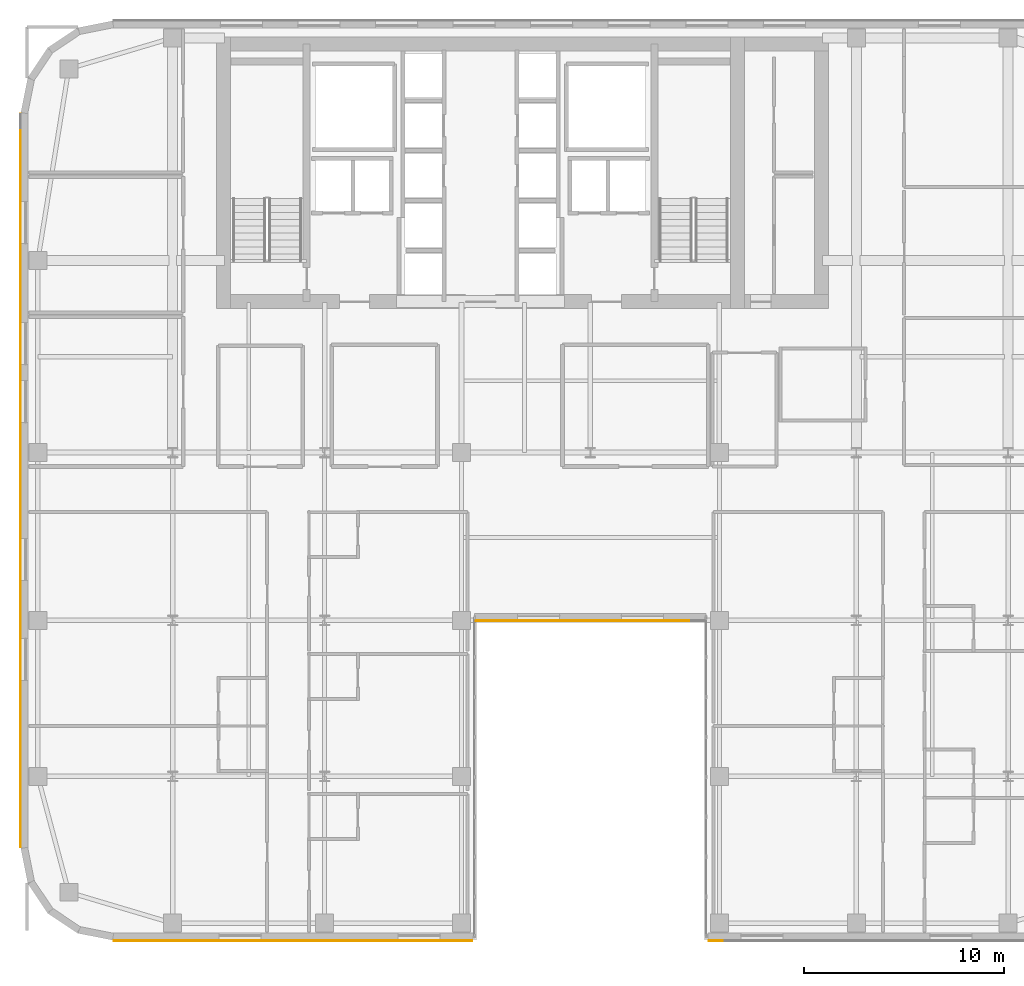
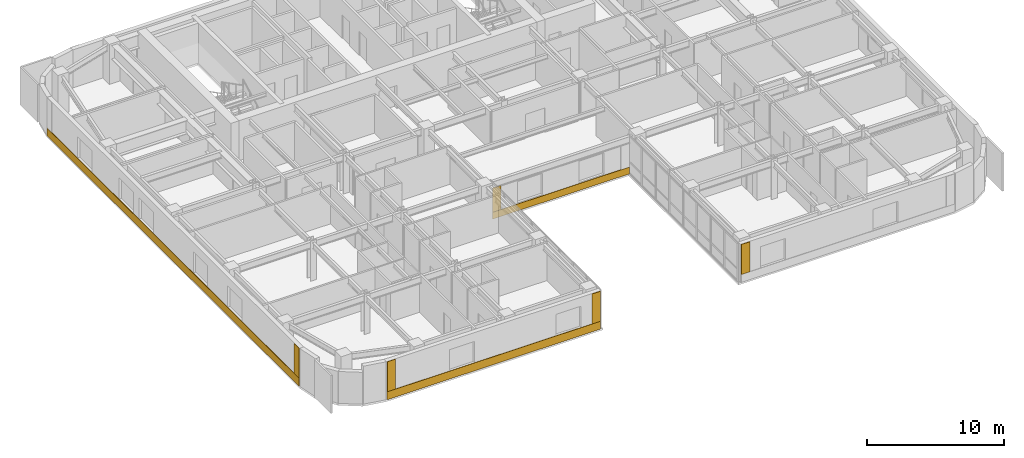
# One storey, part 20 of 24: 8 coverings.
"""IFC4 building model written with IfcOpenShell, lengths in metres."""

from ifc_helpers import new_model, si_unit, direction, frame, origin, place, context, subcontext, project, spatial, polyline, outline, extrude, material, layer, layer_set, type_object, element, save


model = new_model("IFC4")

# Units and contexts
model_context = context("Model", 3, precision=1e-05, world=origin(), true_north=direction((0.0, 1.0)))
body_context = subcontext(model_context, "Body", "Model", "MODEL_VIEW")
ifc_project = project(units=[si_unit("LENGTHUNIT", "METRE"), si_unit("AREAUNIT", "SQUARE_METRE"), si_unit("VOLUMEUNIT", "CUBIC_METRE"), si_unit("PLANEANGLEUNIT", "RADIAN"), si_unit("MASSUNIT", "GRAM", prefix="KILO")], contexts=[model_context])

# Site, building, storey
site_placement = place(None, origin())
site = spatial("IfcSite", under=ifc_project, at=site_placement, CompositionType="ELEMENT")
building_placement = place(site_placement, origin())
building = spatial("IfcBuilding", under=site, at=building_placement, Name="Tolvann Quenvar Hotel", CompositionType="ELEMENT")
storey_placement = place(building_placement, frame((0.0, 0.0, 139.949951171875)))
storey = spatial("IfcBuildingStorey", under=building, at=storey_placement, Name="L36", CompositionType="ELEMENT", Elevation=139.949951171875)

# Coverings
ifc_material_1 = material(Name="Kiln-fired red architectural face brick cladding", Category="masonry")
ifc_layer_1 = layer(ifc_material_1, 0.0400390625)
ifc_layer_set_1 = layer_set([ifc_layer_1], Name="Kiln-fired red architectural face brick cladding")
covering_type_1 = type_object("IfcCoveringType", Name="COV_CLAD_BRICK_40", PredefinedType="CLADDING", material=ifc_layer_set_1)
covering_1_placement = place(storey_placement, frame((0.0, 0.0, 0.699951171875)))
element("IfcCovering", 1, at=covering_1_placement, inside=storey, type_object=covering_type_1, Name="Brick Pier Cladding (L36-E04-P1)", PredefinedType="CLADDING", context=body_context, shape_type="SweptSolid", body=[
    extrude(outline(polyline([(4.667236328125, 0.0), (5.3671875, 0.0), (5.3671875, -0.0400390625), (4.667236328125, -0.0400390625), (4.667236328125, 0.0)])), origin(), (0.0, 0.0, 1.0), 2.670166015625),
])
covering_2_placement = place(storey_placement, frame((0.0, 0.0, 0.699951171875)))
element("IfcCovering", 2, at=covering_2_placement, inside=storey, type_object=covering_type_1, Name="Brick Pier Cladding (L36-E04-P2)", PredefinedType="CLADDING", context=body_context, shape_type="SweptSolid", body=[
    extrude(outline(polyline([(21.875, 0.0), (22.574951171875, 0.0), (22.574951171875, -0.0400390625), (21.875, -0.0400390625), (21.875, 0.0)])), origin(), (0.0, 0.0, 1.0), 2.670166015625),
])
covering_3_placement = place(storey_placement, frame((0.0, 0.0, 0.604736328125)))
element("IfcCovering", 3, at=covering_3_placement, inside=storey, type_object=covering_type_1, Name="Brick Pier Cladding (L36-E06-P1)", PredefinedType="CLADDING", context=body_context, shape_type="SweptSolid", body=[
    extrude(outline(polyline([(22.760009765625, 16.0), (23.4599609375, 16.0), (23.4599609375, 15.9599609375), (22.760009765625, 15.9599609375), (22.760009765625, 16.0)])), origin(), (0.0, 0.0, 1.0), 2.143310546875),
])
covering_4_placement = place(storey_placement, frame((0.0, 0.0, 0.699951171875)))
element("IfcCovering", 4, at=covering_4_placement, inside=storey, type_object=covering_type_1, Name="Brick Pier Cladding (L36-E08-P1)", PredefinedType="CLADDING", context=body_context, shape_type="SweptSolid", body=[
    extrude(outline(polyline([(34.425048828125, 0.0), (35.125, 0.0), (35.125, -0.0400390625), (34.425048828125, -0.0400390625), (34.425048828125, 0.0)])), origin(), (0.0, 0.0, 1.0), 2.670166015625),
])
covering_5_placement = place(storey_placement, frame((0.0, 0.0, 0.699951171875)))
element("IfcCovering", 5, at=covering_5_placement, inside=storey, type_object=covering_type_1, Name="Brick Pier Cladding (L36-E23-P2)", PredefinedType="CLADDING", context=body_context, shape_type="SweptSolid", body=[
    extrude(outline(polyline([(0.0, 5.3671875), (0.0, 4.667236328125), (-0.0400390625, 4.667236328125), (-0.0400390625, 5.3671875), (0.0, 5.3671875)])), origin(), (0.0, 0.0, 1.0), 2.670166015625),
])
ifc_material_2 = material(Name="Moulded buff architectural terracotta spandrel cladding", Category="masonry")
ifc_layer_2 = layer(ifc_material_2, 0.0400390625)
ifc_layer_set_2 = layer_set([ifc_layer_2], Name="Moulded buff architectural terracotta spandrel cladding")
covering_type_2 = type_object("IfcCoveringType", Name="COV_CLAD_TERRA_40", PredefinedType="CLADDING", material=ifc_layer_set_2)
covering_6_placement = place(storey_placement, origin())
element("IfcCovering", 6, at=covering_6_placement, inside=storey, type_object=covering_type_2, Name="Terracotta Spandrel Cladding (L36-E04)", PredefinedType="CLADDING", context=body_context, shape_type="SweptSolid", body=[
    extrude(outline(polyline([(4.6572265625, 0.0), (22.5849609375, 0.0), (22.5849609375, -0.0400390625), (4.6572265625, -0.0400390625), (4.6572265625, 0.0)])), origin(), (0.0, 0.0, 1.0), 0.699951171875),
])
covering_7_placement = place(storey_placement, origin())
element("IfcCovering", 7, at=covering_7_placement, inside=storey, type_object=covering_type_2, Name="Terracotta Spandrel Cladding (L36-E06)", PredefinedType="CLADDING", context=body_context, shape_type="SweptSolid", body=[
    extrude(outline(polyline([(22.75, 16.0), (34.25, 16.0), (34.25, 15.9599609375), (22.75, 15.9599609375), (22.75, 16.0)])), origin(), (0.0, 0.0, 1.0), 0.604736328125),
])
covering_8_placement = place(storey_placement, origin())
element("IfcCovering", 8, at=covering_8_placement, inside=storey, type_object=covering_type_2, Name="Terracotta Spandrel Cladding (L36-E23)", PredefinedType="CLADDING", context=body_context, shape_type="SweptSolid", body=[
    extrude(outline(polyline([(0.0, 41.3427734375), (0.0, 4.6572265625), (-0.0400390625, 4.6572265625), (-0.0400390625, 41.3427734375), (0.0, 41.3427734375)])), origin(), (0.0, 0.0, 1.0), 0.699951171875),
])

save(model, "model.ifc")
